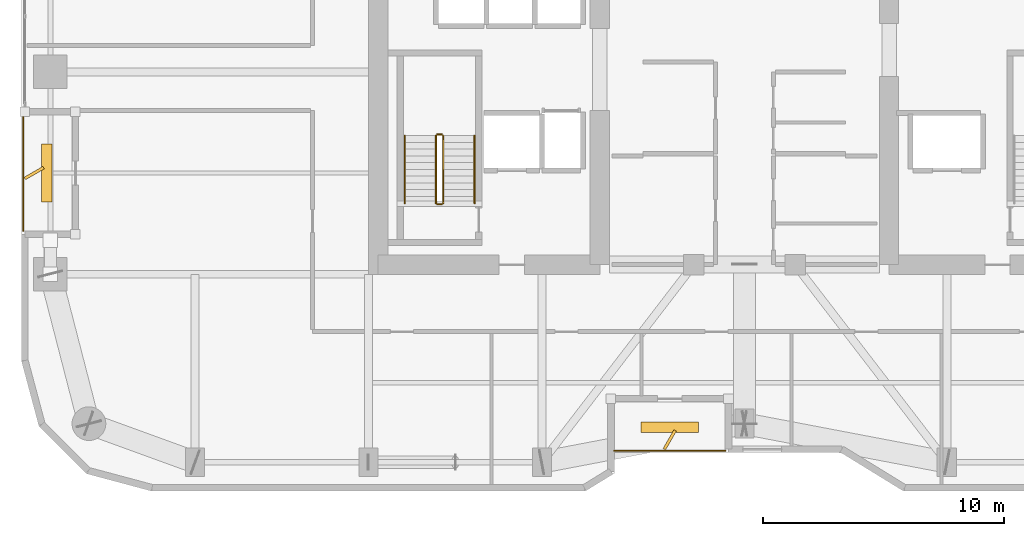
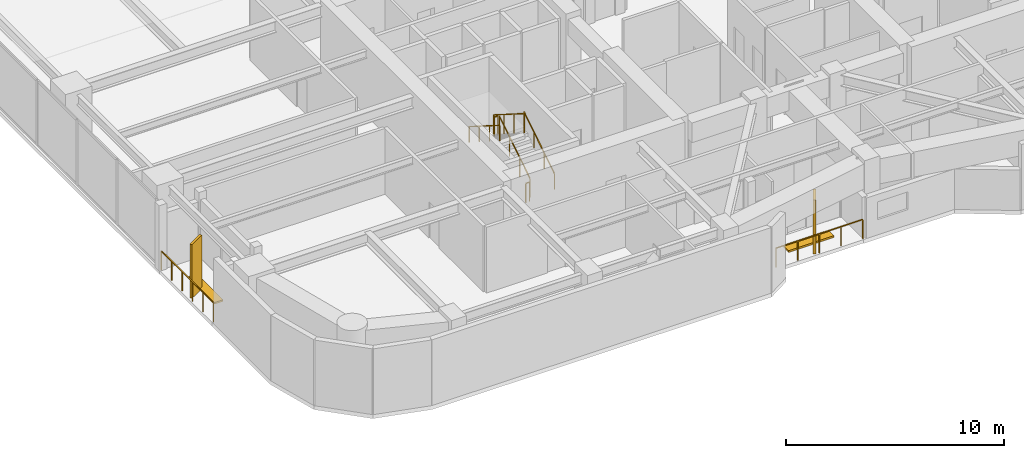
# One storey, part 28 of 30: 8 railings, 4 shading devices.
"""IFC4 building model written with IfcOpenShell, lengths in metres."""

from ifc_helpers import new_model, si_unit, direction, frame, origin, origin_2d, place, context, subcontext, project, spatial, rectangle, extrude, material, type_object, element, save


model = new_model("IFC4")

# Units and contexts
model_context = context("Model", 3, precision=1e-05, world=origin(), true_north=direction((0.0, 1.0)))
body_context = subcontext(model_context, "Body", "Model", "MODEL_VIEW")
ifc_project = project(units=[si_unit("LENGTHUNIT", "METRE"), si_unit("AREAUNIT", "SQUARE_METRE"), si_unit("VOLUMEUNIT", "CUBIC_METRE"), si_unit("PLANEANGLEUNIT", "RADIAN"), si_unit("MASSUNIT", "GRAM", prefix="KILO")], contexts=[model_context])

# Site, building, storey
site_placement = place(None, origin())
site = spatial("IfcSite", under=ifc_project, at=site_placement, CompositionType="ELEMENT")
building_placement = place(site_placement, origin())
building = spatial("IfcBuilding", under=site, at=building_placement, Name="Kiyonajd Concourse Tower", CompositionType="ELEMENT")
storey_placement = place(building_placement, frame((0.0, 0.0, 150.60009765625)))
storey = spatial("IfcBuildingStorey", under=building, at=storey_placement, Name="L38", CompositionType="ELEMENT", Elevation=150.60009765625)

# Railings
ifc_material_1 = material(Name="Thermally Broken Anodised Aluminium", Category="aluminium")
railing_type_1 = type_object("IfcRailingType", Name="RL-GRD-LOG", PredefinedType="GUARDRAIL", material=ifc_material_1)
railing_1_placement = place(storey_placement, frame((42.60009765625, 20.280029296875, 0.0)))
element("IfcRailing", 1, at=railing_1_placement, inside=storey, type_object=railing_type_1, Name="L38 Engawa Loggia Perimeter Guard LOG-S", PredefinedType="GUARDRAIL", context=body_context, shape_type="SweptSolid", body=[
    extrude(rectangle(XDim=0.048095703125, YDim=0.048095703125, at=origin_2d()), frame((0.0, 0.0, 1.076171875), z_axis=(1.0, 0.0, 0.0), x_axis=(0.0, 1.0, 0.0)), (0.0, 0.0, 1.0), 4.599853515625),
    extrude(rectangle(XDim=0.0419921875, YDim=0.0419921875, at=origin_2d()), origin(), (0.0, 0.0, 1.0), 1.052001953125),
    extrude(rectangle(XDim=0.0419921875, YDim=0.0419921875, at=origin_2d()), frame((1.14990234375, 0.0, 0.0)), (0.0, 0.0, 1.0), 1.052001953125),
    extrude(rectangle(XDim=0.0419921875, YDim=0.0419921875, at=origin_2d()), frame((2.2998046875, 0.0, 0.0)), (0.0, 0.0, 1.0), 1.052001953125),
    extrude(rectangle(XDim=0.0419921875, YDim=0.0419921875, at=origin_2d()), frame((3.449951171875, 0.0, 0.0)), (0.0, 0.0, 1.0), 1.052001953125),
    extrude(rectangle(XDim=0.0419921875, YDim=0.0419921875, at=origin_2d()), frame((4.599853515625, 0.0, 0.0)), (0.0, 0.0, 1.0), 1.052001953125),
])
railing_2_placement = place(storey_placement, frame((18.080078125, 34.199951171875, 0.0)))
element("IfcRailing", 2, at=railing_2_placement, inside=storey, type_object=railing_type_1, Name="L38 Engawa Loggia Perimeter Guard LOG-W", PredefinedType="GUARDRAIL", context=body_context, shape_type="SweptSolid", body=[
    extrude(rectangle(XDim=0.048095703125, YDim=0.048095703125, at=origin_2d()), frame((0.0, 0.0, 1.076171875), z_axis=(0.0, -1.0, 0.0), x_axis=(1.0, 0.0, 0.0)), (0.0, 0.0, 1.0), 4.800048828125),
    extrude(rectangle(XDim=0.0419921875, YDim=0.0419921875, at=origin_2d()), origin(), (0.0, 0.0, 1.0), 1.052001953125),
    extrude(rectangle(XDim=0.0419921875, YDim=0.0419921875, at=origin_2d()), frame((0.0, -0.9599609375, 0.0)), (0.0, 0.0, 1.0), 1.052001953125),
    extrude(rectangle(XDim=0.0419921875, YDim=0.0419921875, at=origin_2d()), frame((0.0, -1.919921875, 0.0)), (0.0, 0.0, 1.0), 1.052001953125),
    extrude(rectangle(XDim=0.0419921875, YDim=0.0419921875, at=origin_2d()), frame((0.0, -2.880126953125, 0.0)), (0.0, 0.0, 1.0), 1.052001953125),
    extrude(rectangle(XDim=0.0419921875, YDim=0.0419921875, at=origin_2d()), frame((0.0, -3.840087890625, 0.0)), (0.0, 0.0, 1.0), 1.052001953125),
    extrude(rectangle(XDim=0.0419921875, YDim=0.0419921875, at=origin_2d()), frame((0.0, -4.800048828125, 0.0)), (0.0, 0.0, 1.0), 1.052001953125),
])
ifc_material_2 = material(Name="Steel ASTM A500 Grade C", Category="steel")
railing_type_2 = type_object("IfcRailingType", Name="RL-GRD-STR", PredefinedType="GUARDRAIL", material=ifc_material_2)
railing_3_placement = place(storey_placement, frame((35.5, 30.550048828125, 0.17724609375)))
element("IfcRailing", 3, at=railing_3_placement, inside=storey, type_object=railing_type_2, Name="L38 ST1 stair guard 1", PredefinedType="GUARDRAIL", context=body_context, shape_type="SweptSolid", body=[
    extrude(rectangle(XDim=0.048095703125, YDim=0.048095703125, at=origin_2d()), frame((0.0, 0.0, 1.076171875), z_axis=(0.0, 0.844908973607, 0.534910110503), x_axis=(-1.0, 0.0, 0.0)), (0.0, 0.0, 1.0), 3.31396484375),
    extrude(rectangle(XDim=0.0419921875, YDim=0.0419921875, at=origin_2d()), origin(), (0.0, 0.0, 1.0), 1.052001953125),
    extrude(rectangle(XDim=0.0419921875, YDim=0.0419921875, at=origin_2d()), frame((0.0, 0.933349609375, 0.5908203125)), (0.0, 0.0, 1.0), 1.052001953125),
    extrude(rectangle(XDim=0.0419921875, YDim=0.0419921875, at=origin_2d()), frame((0.0, 1.86669921875, 1.181884765625)), (0.0, 0.0, 1.0), 1.052001953125),
    extrude(rectangle(XDim=0.0419921875, YDim=0.0419921875, at=origin_2d()), frame((0.0, 2.800048828125, 1.772705078125)), (0.0, 0.0, 1.0), 1.052001953125),
])
railing_4_placement = place(storey_placement, frame((35.449951171875, 33.39990234375, 1.949951171875)))
element("IfcRailing", 4, at=railing_4_placement, inside=storey, type_object=railing_type_2, Name="L38 ST1 stair guard 2", PredefinedType="GUARDRAIL", context=body_context, shape_type="SweptSolid", body=[
    extrude(rectangle(XDim=0.048095703125, YDim=0.048095703125, at=origin_2d()), frame((0.0, 0.0, 1.076171875), z_axis=(-1.0, 0.0, 0.0), x_axis=(0.0, -1.0, 0.0)), (0.0, 0.0, 1.0), 0.199951171875),
    extrude(rectangle(XDim=0.0419921875, YDim=0.0419921875, at=origin_2d()), origin(), (0.0, 0.0, 1.0), 1.052001953125),
    extrude(rectangle(XDim=0.0419921875, YDim=0.0419921875, at=origin_2d()), frame((-0.199951171875, 0.0, 0.0)), (0.0, 0.0, 1.0), 1.052001953125),
])
railing_5_placement = place(storey_placement, frame((35.199951171875, 33.35009765625, 2.127197265625)))
element("IfcRailing", 5, at=railing_5_placement, inside=storey, type_object=railing_type_2, Name="L38 ST1 stair guard 3", PredefinedType="GUARDRAIL", context=body_context, shape_type="SweptSolid", body=[
    extrude(rectangle(XDim=0.048095703125, YDim=0.048095703125, at=origin_2d()), frame((0.0, 0.0, 1.076171875), z_axis=(0.0, -0.844908973607, 0.534910110503), x_axis=(1.0, 0.0, 0.0)), (0.0, 0.0, 1.0), 3.31396484375),
    extrude(rectangle(XDim=0.0419921875, YDim=0.0419921875, at=origin_2d()), origin(), (0.0, 0.0, 1.0), 1.052001953125),
    extrude(rectangle(XDim=0.0419921875, YDim=0.0419921875, at=origin_2d()), frame((0.0, -0.933349609375, 0.5908203125)), (0.0, 0.0, 1.0), 1.052001953125),
    extrude(rectangle(XDim=0.0419921875, YDim=0.0419921875, at=origin_2d()), frame((0.0, -1.86669921875, 1.181884765625)), (0.0, 0.0, 1.0), 1.052001953125),
    extrude(rectangle(XDim=0.0419921875, YDim=0.0419921875, at=origin_2d()), frame((0.0, -2.800048828125, 1.772705078125)), (0.0, 0.0, 1.0), 1.052001953125),
])
railing_6_placement = place(storey_placement, frame((35.449951171875, 30.5, 0.0)))
element("IfcRailing", 6, at=railing_6_placement, inside=storey, type_object=railing_type_2, Name="L38 ST1 stair guard 4", PredefinedType="GUARDRAIL", context=body_context, shape_type="SweptSolid", body=[
    extrude(rectangle(XDim=0.048095703125, YDim=0.048095703125, at=origin_2d()), frame((0.0, 0.0, 1.076171875), z_axis=(-1.0, 0.0, 0.0), x_axis=(0.0, -1.0, 0.0)), (0.0, 0.0, 1.0), 0.199951171875),
    extrude(rectangle(XDim=0.0419921875, YDim=0.0419921875, at=origin_2d()), origin(), (0.0, 0.0, 1.0), 1.052001953125),
    extrude(rectangle(XDim=0.0419921875, YDim=0.0419921875, at=origin_2d()), frame((-0.199951171875, 0.0, 0.0)), (0.0, 0.0, 1.0), 1.052001953125),
])
ifc_material_3 = material(Name="Brushed Stainless Steel Cab Assembly", Category="steel")
railing_type_3 = type_object("IfcRailingType", Name="RL-HND-900", PredefinedType="HANDRAIL", material=ifc_material_3)
railing_7_placement = place(storey_placement, frame((36.800048828125, 30.550048828125, 0.17724609375)))
element("IfcRailing", 7, at=railing_7_placement, inside=storey, type_object=railing_type_3, Name="L38 ST1 stair handrail 1", PredefinedType="HANDRAIL", context=body_context, shape_type="SweptSolid", body=[
    extrude(rectangle(XDim=0.048095703125, YDim=0.048095703125, at=origin_2d()), frame((0.0, 0.0, 0.8759765625), z_axis=(0.0, 0.844908973607, 0.534910110503), x_axis=(-1.0, 0.0, 0.0)), (0.0, 0.0, 1.0), 3.31396484375),
    extrude(rectangle(XDim=0.0419921875, YDim=0.0419921875, at=origin_2d()), origin(), (0.0, 0.0, 1.0), 0.851806640625),
    extrude(rectangle(XDim=0.0419921875, YDim=0.0419921875, at=origin_2d()), frame((0.0, 0.933349609375, 0.5908203125)), (0.0, 0.0, 1.0), 0.851806640625),
    extrude(rectangle(XDim=0.0419921875, YDim=0.0419921875, at=origin_2d()), frame((0.0, 1.86669921875, 1.181884765625)), (0.0, 0.0, 1.0), 0.851806640625),
    extrude(rectangle(XDim=0.0419921875, YDim=0.0419921875, at=origin_2d()), frame((0.0, 2.800048828125, 1.772705078125)), (0.0, 0.0, 1.0), 0.851806640625),
])
railing_8_placement = place(storey_placement, frame((33.89990234375, 33.35009765625, 2.127197265625)))
element("IfcRailing", 8, at=railing_8_placement, inside=storey, type_object=railing_type_3, Name="L38 ST1 stair handrail 2", PredefinedType="HANDRAIL", context=body_context, shape_type="SweptSolid", body=[
    extrude(rectangle(XDim=0.048095703125, YDim=0.048095703125, at=origin_2d()), frame((0.0, 0.0, 0.8759765625), z_axis=(0.0, -0.844908973607, 0.534910110503), x_axis=(1.0, 0.0, 0.0)), (0.0, 0.0, 1.0), 3.31396484375),
    extrude(rectangle(XDim=0.0419921875, YDim=0.0419921875, at=origin_2d()), origin(), (0.0, 0.0, 1.0), 0.851806640625),
    extrude(rectangle(XDim=0.0419921875, YDim=0.0419921875, at=origin_2d()), frame((0.0, -0.933349609375, 0.5908203125)), (0.0, 0.0, 1.0), 0.851806640625),
    extrude(rectangle(XDim=0.0419921875, YDim=0.0419921875, at=origin_2d()), frame((0.0, -1.86669921875, 1.181884765625)), (0.0, 0.0, 1.0), 0.851806640625),
    extrude(rectangle(XDim=0.0419921875, YDim=0.0419921875, at=origin_2d()), frame((0.0, -2.800048828125, 1.772705078125)), (0.0, 0.0, 1.0), 0.851806640625),
])

# Shading devices
ifc_material_4 = material(Name="Precast concrete C50/60", Category="concrete")
shading_device_type_1 = type_object("IfcShadingDeviceType", Name="SH-FIN-900", PredefinedType="USERDEFINED", material=ifc_material_4)
for number, where, z_axis, x_axis, name in (
    (9, (44.89990234375, 20.72998046875, 0.0), (0.0, 0.0, 1.0), (0.5, 0.866025403784, 0.0), "L38 Angled Koshi Solar Fin LOG-S"),
    (10, (18.530029296875, 31.800048828125, 0.0), (0.0, 0.0, 1.0), (0.866025403784, 0.5, 0.0), "L38 Angled Koshi Solar Fin LOG-W"),
):
    element("IfcShadingDevice", number, at=place(storey_placement, frame(where, z_axis=z_axis, x_axis=x_axis)), inside=storey, type_object=shading_device_type_1, Name=name, ObjectType="FIN", PredefinedType="USERDEFINED", context=body_context, shape_type="SweptSolid", body=[
        extrude(rectangle(XDim=0.89990234375, YDim=0.1201171875, at=origin_2d()), origin(), (0.0, 0.0, 1.0), 3.0),
    ])
shading_device_type_2 = type_object("IfcShadingDeviceType", Name="SH-LVR-600", PredefinedType="JALOUSIE", material=ifc_material_1)
for number, where, z_axis, x_axis, name in (
    (11, (44.89990234375, 21.25, -0.000244140625), (0.0, 0.0, 1.0), (1.0, 0.0, 0.0), "L38 Loggia Threshold Louver LOG-S"),
    (12, (19.050048828125, 31.800048828125, -0.000244140625), (0.0, 0.0, 1.0), (0.0, 1.0, 0.0), "L38 Loggia Threshold Louver LOG-W"),
):
    element("IfcShadingDevice", number, at=place(storey_placement, frame(where, z_axis=z_axis, x_axis=x_axis)), inside=storey, type_object=shading_device_type_2, Name=name, PredefinedType="JALOUSIE", context=body_context, shape_type="SweptSolid", body=[
        extrude(rectangle(XDim=2.39990234375, YDim=0.449951171875, at=origin_2d()), origin(), (0.0, 0.0, 1.0), 0.10009765625),
    ])

save(model, "model.ifc")
